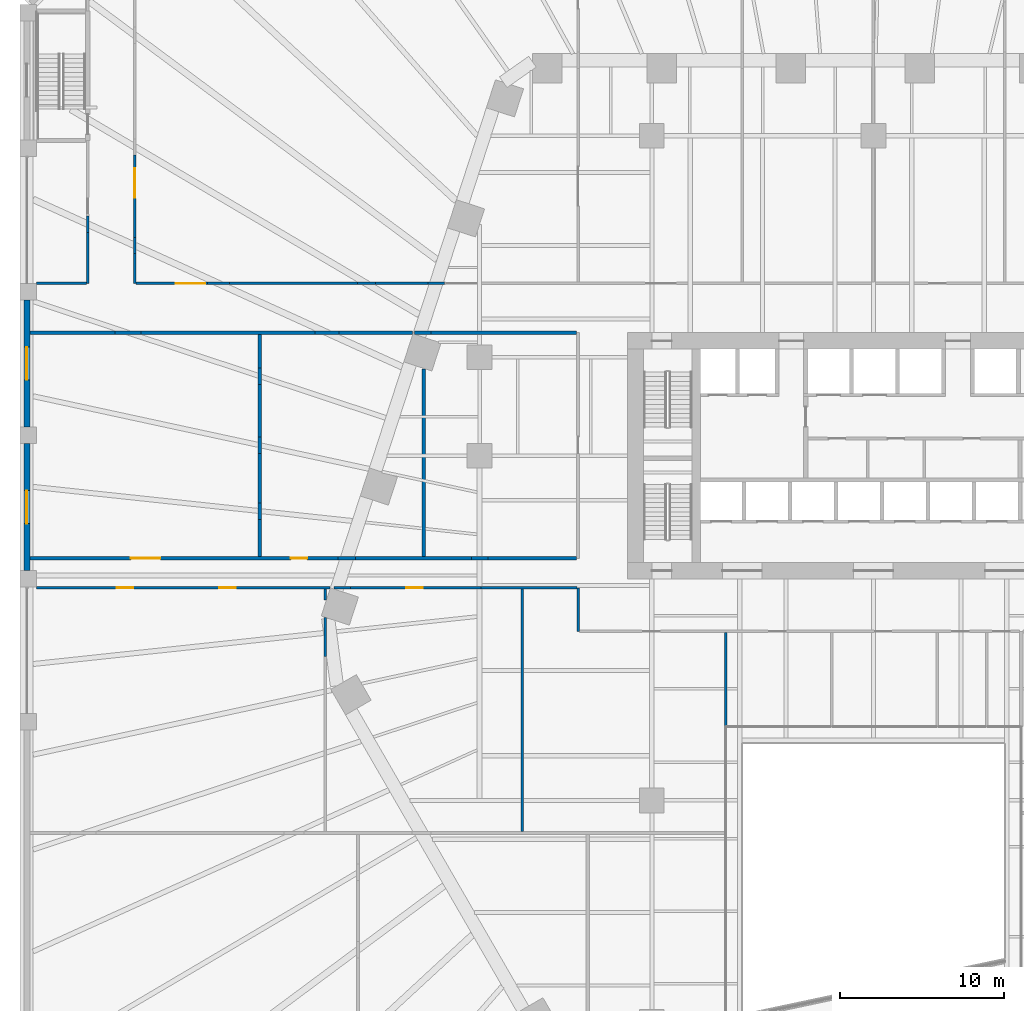
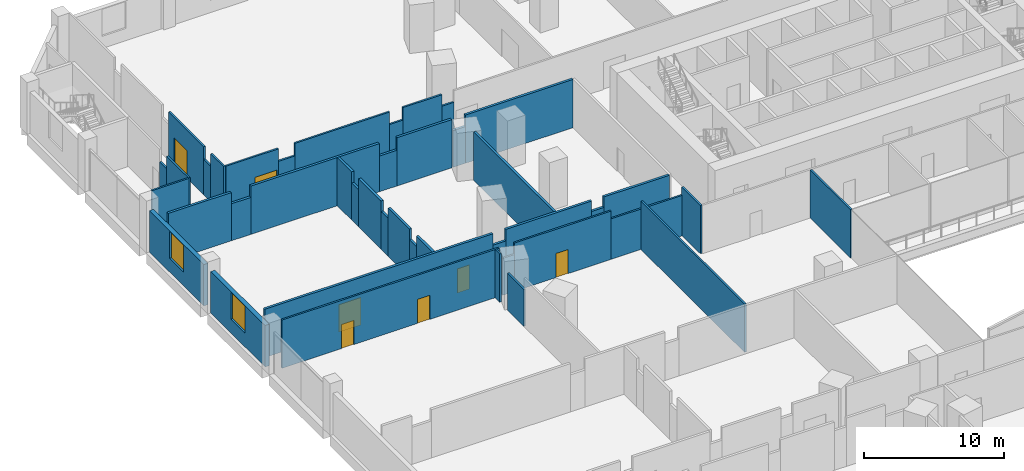
# One storey, part 16 of 29: 43 walls, 7 doors, 2 windows, 9 openings.
"""IFC4 building model written with IfcOpenShell, lengths in metres."""

from ifc_helpers import new_model, si_unit, direction, frame, frame_2d, origin, place, context, subcontext, project, spatial, rectangle, extrude, material, layer, layer_set, type_object, element, fill, save


model = new_model("IFC4")

# Units and contexts
model_context = context("Model", 3, precision=1e-05, world=origin(), true_north=direction((0.0, 1.0)))
body_context = subcontext(model_context, "Body", "Model", "MODEL_VIEW")
ifc_project = project(units=[si_unit("LENGTHUNIT", "METRE"), si_unit("AREAUNIT", "SQUARE_METRE"), si_unit("VOLUMEUNIT", "CUBIC_METRE"), si_unit("PLANEANGLEUNIT", "RADIAN"), si_unit("MASSUNIT", "GRAM", prefix="KILO")], contexts=[model_context])

# Site, building, storey
site_placement = place(None, origin())
site = spatial("IfcSite", under=ifc_project, at=site_placement, CompositionType="ELEMENT")
building_placement = place(site_placement, origin())
building = spatial("IfcBuilding", under=site, at=building_placement, Name="Isthmus Gate Tower", CompositionType="ELEMENT")
storey_placement = place(building_placement, frame((0.0, 0.0, 27.0)))
storey = spatial("IfcBuildingStorey", under=building, at=storey_placement, Name="L04", CompositionType="ELEMENT", Elevation=27.0)

# Wall, openings, doors
ifc_material_1 = material(Name="Concrete f'c 30 MPa", Category="concrete")
ifc_layer_1 = layer(ifc_material_1, 0.199951171875)
ifc_layer_set_1 = layer_set([ifc_layer_1], Name="Fire-rated block wall 200")
wall_type_1 = type_object("IfcWallType", Name="Fire-rated block wall 200", PredefinedType="PARTITIONING", material=ifc_layer_set_1)
wall_1_placement = place(storey_placement, frame((-51.39990234375, 1.2509765625, 0.0), z_axis=(0.0, 0.0, 1.0), x_axis=(1.0, 0.0, 0.0)))
wall_1 = element("IfcWall", 1, at=wall_1_placement, inside=storey, type_object=wall_type_1, Name="Fire-rated wall", PredefinedType="PARTITIONING", context=body_context, shape_type="SweptSolid", body=[
    extrude(rectangle(XDim=18.789794921875, YDim=0.199951171875, at=frame_2d((9.39501953125, 0.0))), origin(), (0.0, 0.0, 1.0), 4.199951171875),
])
opening_1_placement = place(wall_1_placement, frame((6.14990234375, 0.0, 0.0)))
opening_1 = element("IfcOpeningElement", 2, at=opening_1_placement, cuts=wall_1, Name="Opening DP04-37", PredefinedType="OPENING", context=body_context, shape_type="SweptSolid", body=[
    extrude(rectangle(XDim=1.800048828125, YDim=2.39990234375, at=frame_2d((0.89990234375, 1.199951171875))), frame((0.0, 0.10986328125, 0.0), z_axis=(0.0, -1.0, 0.0), x_axis=(1.0, 0.0, 0.0)), (0.0, 0.0, 1.0), 0.219970703125),
])
opening_2_placement = place(wall_1_placement, frame((15.89990234375, 0.0, 0.0)))
opening_2 = element("IfcOpeningElement", 3, at=opening_2_placement, cuts=wall_1, Name="Opening DP04-38", PredefinedType="OPENING", context=body_context, shape_type="SweptSolid", body=[
    extrude(rectangle(XDim=1.0, YDim=2.10009765625, at=frame_2d((0.5, 1.050048828125))), frame((0.0, 0.10986328125, 0.0), z_axis=(0.0, -1.0, 0.0), x_axis=(1.0, 0.0, 0.0)), (0.0, 0.0, 1.0), 0.219970703125),
])
ifc_material_2 = material(Name="Steel fire doors with intumescent seals", Category="steel")
door_type_1 = type_object("IfcDoorType", Name="Double fire door 1800 x 2400", OperationType="DOUBLE_DOOR_SINGLE_SWING", PredefinedType="DOOR", material=ifc_material_2)
door_1_placement = place(opening_1_placement, origin())
door_1 = element("IfcDoor", 4, at=door_1_placement, inside=storey, type_object=door_type_1, Name="Door DP04-37", OperationType="SINGLE_SWING_LEFT", OverallHeight=2.39990234375, OverallWidth=1.800048828125, PredefinedType="DOOR", context=body_context, shape_type="SweptSolid", body=[
    extrude(rectangle(XDim=1.800048828125, YDim=2.39990234375, at=frame_2d((0.89990234375, 1.199951171875))), frame((0.0, 0.02490234375, 0.0), z_axis=(0.0, -1.0, 0.0), x_axis=(1.0, 0.0, 0.0)), (0.0, 0.0, 1.0), 0.050048828125),
])
fill(opening_1, door_1)
ifc_material_3 = material(Name="Steel fire door with intumescent seals", Category="steel")
door_type_2 = type_object("IfcDoorType", Name="Fire door 1000 x 2100", OperationType="SINGLE_SWING_LEFT", PredefinedType="DOOR", material=ifc_material_3)
door_2_placement = place(opening_2_placement, origin())
door_2 = element("IfcDoor", 5, at=door_2_placement, inside=storey, type_object=door_type_2, Name="Door DP04-38", OperationType="SINGLE_SWING_LEFT", OverallHeight=2.10009765625, OverallWidth=1.0, PredefinedType="DOOR", context=body_context, shape_type="SweptSolid", body=[
    extrude(rectangle(XDim=1.0, YDim=2.10009765625, at=frame_2d((0.5, 1.050048828125))), frame((0.0, 0.02490234375, 0.0), z_axis=(0.0, -1.0, 0.0), x_axis=(1.0, 0.0, 0.0)), (0.0, 0.0, 1.0), 0.050048828125),
])
fill(opening_2, door_2)

# Walls
wall_2_placement = place(storey_placement, frame((-32.610107421875, 1.2509765625, 0.0), z_axis=(0.0, 0.0, 1.0), x_axis=(1.0, 0.0, 0.0)))
element("IfcWall", 6, at=wall_2_placement, inside=storey, type_object=wall_type_1, Name="Fire-rated wall", PredefinedType="PARTITIONING", context=body_context, shape_type="SweptSolid", body=[
    extrude(rectangle(XDim=1.051513671875, YDim=0.199951171875, at=frame_2d((0.52587890625, 0.0))), origin(), (0.0, 0.0, 1.0), 3.199951171875),
])
wall_3_placement = place(storey_placement, frame((-31.55859375, 1.2509765625, 0.0), z_axis=(0.0, 0.0, 1.0), x_axis=(1.0, 0.0, 0.0)))
element("IfcWall", 7, at=wall_3_placement, inside=storey, type_object=wall_type_1, Name="Fire-rated wall", PredefinedType="PARTITIONING", context=body_context, shape_type="SweptSolid", body=[
    extrude(rectangle(XDim=7.05859375, YDim=0.199951171875, at=frame_2d((3.529296875, 0.0))), origin(), (0.0, 0.0, 1.0), 4.199951171875),
])
wall_4_placement = place(storey_placement, frame((-24.5, 1.2509765625, 0.0), z_axis=(0.0, 0.0, 1.0), x_axis=(1.0, 0.0, 0.0)))
element("IfcWall", 8, at=wall_4_placement, inside=storey, type_object=wall_type_1, Name="Fire-rated wall", PredefinedType="PARTITIONING", context=body_context, shape_type="SweptSolid", body=[
    extrude(rectangle(XDim=1.0, YDim=0.199951171875, at=frame_2d((0.5, 0.0))), origin(), (0.0, 0.0, 1.0), 3.28564453125),
])
wall_5_placement = place(storey_placement, frame((-23.5, 1.2509765625, 0.0), z_axis=(0.0, 0.0, 1.0), x_axis=(1.0, 0.0, 0.0)))
element("IfcWall", 9, at=wall_5_placement, inside=storey, type_object=wall_type_1, Name="Fire-rated wall", PredefinedType="PARTITIONING", context=body_context, shape_type="SweptSolid", body=[
    extrude(rectangle(XDim=5.39990234375, YDim=0.199951171875, at=frame_2d((2.699951171875, 0.0))), origin(), (0.0, 0.0, 1.0), 4.199951171875),
])
wall_6_placement = place(storey_placement, frame((-51.39990234375, 15.0, 0.0), z_axis=(0.0, 0.0, 1.0), x_axis=(1.0, 0.0, 0.0)))
element("IfcWall", 10, at=wall_6_placement, inside=storey, type_object=wall_type_1, Name="Fire-rated wall", PredefinedType="PARTITIONING", context=body_context, shape_type="SweptSolid", body=[
    extrude(rectangle(XDim=5.19775390625, YDim=0.199951171875, at=frame_2d((2.598876953125, 0.0))), origin(), (0.0, 0.0, 1.0), 4.199951171875),
])
wall_7_placement = place(storey_placement, frame((-46.2021484375, 15.0, 0.0), z_axis=(0.0, 0.0, 1.0), x_axis=(1.0, 0.0, 0.0)))
element("IfcWall", 11, at=wall_7_placement, inside=storey, type_object=wall_type_1, Name="Fire-rated wall", PredefinedType="PARTITIONING", context=body_context, shape_type="SweptSolid", body=[
    extrude(rectangle(XDim=1.5869140625, YDim=0.199951171875, at=frame_2d((0.79345703125, 0.0))), origin(), (0.0, 0.0, 1.0), 3.218994140625),
])
wall_8_placement = place(storey_placement, frame((-44.615234375, 15.0, 0.0), z_axis=(0.0, 0.0, 1.0), x_axis=(1.0, 0.0, 0.0)))
element("IfcWall", 12, at=wall_8_placement, inside=storey, type_object=wall_type_1, Name="Fire-rated wall", PredefinedType="PARTITIONING", context=body_context, shape_type="SweptSolid", body=[
    extrude(rectangle(XDim=10.59375, YDim=0.199951171875, at=frame_2d((5.296875, 0.0))), origin(), (0.0, 0.0, 1.0), 4.199951171875),
])
wall_9_placement = place(storey_placement, frame((-34.021484375, 15.0, 0.0), z_axis=(0.0, 0.0, 1.0), x_axis=(1.0, 0.0, 0.0)))
element("IfcWall", 13, at=wall_9_placement, inside=storey, type_object=wall_type_1, Name="Fire-rated wall", PredefinedType="PARTITIONING", context=body_context, shape_type="SweptSolid", body=[
    extrude(rectangle(XDim=1.4521484375, YDim=0.199951171875, at=frame_2d((0.72607421875, 0.0))), origin(), (0.0, 0.0, 1.0), 3.111083984375),
])
wall_10_placement = place(storey_placement, frame((-32.5693359375, 15.0, 0.0), z_axis=(0.0, 0.0, 1.0), x_axis=(1.0, 0.0, 0.0)))
element("IfcWall", 14, at=wall_10_placement, inside=storey, type_object=wall_type_1, Name="Fire-rated wall", PredefinedType="PARTITIONING", context=body_context, shape_type="SweptSolid", body=[
    extrude(rectangle(XDim=4.4990234375, YDim=0.199951171875, at=frame_2d((2.24951171875, 0.0))), origin(), (0.0, 0.0, 1.0), 4.199951171875),
])
wall_11_placement = place(storey_placement, frame((-27.9580078125, 15.0, 0.0), z_axis=(0.0, 0.0, 1.0), x_axis=(1.0, 0.0, 0.0)))
element("IfcWall", 15, at=wall_11_placement, inside=storey, type_object=wall_type_1, Name="Fire-rated wall", PredefinedType="PARTITIONING", context=body_context, shape_type="SweptSolid", body=[
    extrude(rectangle(XDim=1.0, YDim=0.199951171875, at=frame_2d((0.5, 0.0))), origin(), (0.0, 0.0, 1.0), 3.199951171875),
])
wall_12_placement = place(storey_placement, frame((-26.9580078125, 15.0, 0.0), z_axis=(0.0, 0.0, 1.0), x_axis=(1.0, 0.0, 0.0)))
element("IfcWall", 16, at=wall_12_placement, inside=storey, type_object=wall_type_1, Name="Fire-rated wall", PredefinedType="PARTITIONING", context=body_context, shape_type="SweptSolid", body=[
    extrude(rectangle(XDim=8.85791015625, YDim=0.199951171875, at=frame_2d((4.428955078125, 0.0))), origin(), (0.0, 0.0, 1.0), 4.199951171875),
])
wall_13_placement = place(storey_placement, frame((-37.39990234375, 1.35107421875, 0.0), z_axis=(0.0, 0.0, 1.0), x_axis=(0.0, 1.0, 0.0)))
element("IfcWall", 17, at=wall_13_placement, inside=storey, type_object=wall_type_1, Name="Fire-rated wall", PredefinedType="PARTITIONING", context=body_context, shape_type="SweptSolid", body=[
    extrude(rectangle(XDim=2.2822265625, YDim=0.199951171875, at=frame_2d((1.14111328125, 0.0))), origin(), (0.0, 0.0, 1.0), 4.199951171875),
])
wall_14_placement = place(storey_placement, frame((-37.39990234375, 3.63330078125, 0.0), z_axis=(0.0, 0.0, 1.0), x_axis=(0.0, 1.0, 0.0)))
element("IfcWall", 18, at=wall_14_placement, inside=storey, type_object=wall_type_1, Name="Fire-rated wall", PredefinedType="PARTITIONING", context=body_context, shape_type="SweptSolid", body=[
    extrude(rectangle(XDim=1.0, YDim=0.199951171875, at=frame_2d((0.5, 0.0))), origin(), (0.0, 0.0, 1.0), 3.28564453125),
])
wall_15_placement = place(storey_placement, frame((-37.39990234375, 4.63330078125, 0.0), z_axis=(0.0, 0.0, 1.0), x_axis=(0.0, 1.0, 0.0)))
element("IfcWall", 19, at=wall_15_placement, inside=storey, type_object=wall_type_1, Name="Fire-rated wall", PredefinedType="PARTITIONING", context=body_context, shape_type="SweptSolid", body=[
    extrude(rectangle(XDim=3.013671875, YDim=0.199951171875, at=frame_2d((1.5068359375, 0.0))), origin(), (0.0, 0.0, 1.0), 4.199951171875),
])
wall_16_placement = place(storey_placement, frame((-37.39990234375, 7.64697265625, 0.0), z_axis=(0.0, 0.0, 1.0), x_axis=(0.0, 1.0, 0.0)))
element("IfcWall", 20, at=wall_16_placement, inside=storey, type_object=wall_type_1, Name="Fire-rated wall", PredefinedType="PARTITIONING", context=body_context, shape_type="SweptSolid", body=[
    extrude(rectangle(XDim=1.0, YDim=0.199951171875, at=frame_2d((0.5, 0.0))), origin(), (0.0, 0.0, 1.0), 3.28564453125),
])
wall_17_placement = place(storey_placement, frame((-37.39990234375, 8.64697265625, 0.0), z_axis=(0.0, 0.0, 1.0), x_axis=(0.0, 1.0, 0.0)))
element("IfcWall", 21, at=wall_17_placement, inside=storey, type_object=wall_type_1, Name="Fire-rated wall", PredefinedType="PARTITIONING", context=body_context, shape_type="SweptSolid", body=[
    extrude(rectangle(XDim=3.20361328125, YDim=0.199951171875, at=frame_2d((1.601806640625, 0.0))), origin(), (0.0, 0.0, 1.0), 4.199951171875),
])
wall_18_placement = place(storey_placement, frame((-37.39990234375, 11.8505859375, 0.0), z_axis=(0.0, 0.0, 1.0), x_axis=(0.0, 1.0, 0.0)))
element("IfcWall", 22, at=wall_18_placement, inside=storey, type_object=wall_type_1, Name="Fire-rated wall", PredefinedType="PARTITIONING", context=body_context, shape_type="SweptSolid", body=[
    extrude(rectangle(XDim=1.0, YDim=0.199951171875, at=frame_2d((0.5, 0.0))), origin(), (0.0, 0.0, 1.0), 3.218994140625),
])
wall_19_placement = place(storey_placement, frame((-37.39990234375, 12.8505859375, 0.0), z_axis=(0.0, 0.0, 1.0), x_axis=(0.0, 1.0, 0.0)))
element("IfcWall", 23, at=wall_19_placement, inside=storey, type_object=wall_type_1, Name="Fire-rated wall", PredefinedType="PARTITIONING", context=body_context, shape_type="SweptSolid", body=[
    extrude(rectangle(XDim=2.04931640625, YDim=0.199951171875, at=frame_2d((1.024658203125, 0.0))), origin(), (0.0, 0.0, 1.0), 4.199951171875),
])
wall_20_placement = place(storey_placement, frame((-27.39990234375, 1.35107421875, 0.0), z_axis=(0.0, 0.0, 1.0), x_axis=(0.0, 1.0, 0.0)))
element("IfcWall", 24, at=wall_20_placement, inside=storey, type_object=wall_type_1, Name="Fire-rated wall", PredefinedType="PARTITIONING", context=body_context, shape_type="SweptSolid", body=[
    extrude(rectangle(XDim=11.442626953125, YDim=0.199951171875, at=frame_2d((5.72119140625, 0.0))), origin(), (0.0, 0.0, 1.0), 4.199951171875),
])
ifc_material_4 = material(Name="Fire-rated gypsum board on steel studs", Category="steel")
ifc_layer_2 = layer(ifc_material_4, 0.14990234375)
ifc_layer_set_2 = layer_set([ifc_layer_2], Name="Fire-rated partition 150 EI 60")
wall_type_2 = type_object("IfcWallType", Name="Fire-rated partition 150 EI 60", PredefinedType="PARTITIONING", material=ifc_layer_set_2)
wall_21_placement = place(storey_placement, frame((-47.875, 18.0, 0.0), z_axis=(0.0, 0.0, 1.0), x_axis=(0.0, 1.0, 0.0)))
element("IfcWall", 25, at=wall_21_placement, inside=storey, type_object=wall_type_2, Name="Fire-rated partition", PredefinedType="PARTITIONING", context=body_context, shape_type="SweptSolid", body=[
    extrude(rectangle(XDim=3.11572265625, YDim=0.14990234375, at=frame_2d((1.557861328125, 0.0))), origin(), (0.0, 0.0, 1.0), 4.199951171875),
])
wall_22_placement = place(storey_placement, frame((-47.875, 21.11572265625, 0.0), z_axis=(0.0, 0.0, 1.0), x_axis=(0.0, 1.0, 0.0)))
element("IfcWall", 26, at=wall_22_placement, inside=storey, type_object=wall_type_2, Name="Fire-rated partition", PredefinedType="PARTITIONING", context=body_context, shape_type="SweptSolid", body=[
    extrude(rectangle(XDim=1.0, YDim=0.14990234375, at=frame_2d((0.5, 0.0))), origin(), (0.0, 0.0, 1.0), 3.111083984375),
])
wall_23_placement = place(storey_placement, frame((-45.0, 18.0, 0.0), z_axis=(0.0, 0.0, 1.0), x_axis=(0.0, 1.0, 0.0)))
element("IfcWall", 27, at=wall_23_placement, inside=storey, type_object=wall_type_2, Name="Fire-rated partition", PredefinedType="PARTITIONING", context=body_context, shape_type="SweptSolid", body=[
    extrude(rectangle(XDim=1.81103515625, YDim=0.14990234375, at=frame_2d((0.905517578125, 0.0))), origin(), (0.0, 0.0, 1.0), 4.199951171875),
])
wall_24_placement = place(storey_placement, frame((-45.0, 19.81103515625, 0.0), z_axis=(0.0, 0.0, 1.0), x_axis=(0.0, 1.0, 0.0)))
element("IfcWall", 28, at=wall_24_placement, inside=storey, type_object=wall_type_2, Name="Fire-rated partition", PredefinedType="PARTITIONING", context=body_context, shape_type="SweptSolid", body=[
    extrude(rectangle(XDim=1.0, YDim=0.14990234375, at=frame_2d((0.5, 0.0))), origin(), (0.0, 0.0, 1.0), 3.111083984375),
])

# Wall, opening, door
wall_25_placement = place(storey_placement, frame((-45.0, 20.81103515625, 0.0), z_axis=(0.0, 0.0, 1.0), x_axis=(0.0, 1.0, 0.0)))
wall_25 = element("IfcWall", 29, at=wall_25_placement, inside=storey, type_object=wall_type_2, Name="Fire-rated partition", PredefinedType="PARTITIONING", context=body_context, shape_type="SweptSolid", body=[
    extrude(rectangle(XDim=5.001708984375, YDim=0.14990234375, at=frame_2d((2.5009765625, 0.0))), origin(), (0.0, 0.0, 1.0), 4.199951171875),
])
opening_3_placement = place(wall_25_placement, frame((2.39990234375, 0.0, 0.0)))
opening_3 = element("IfcOpeningElement", 30, at=opening_3_placement, cuts=wall_25, Name="Opening DP04-11", PredefinedType="OPENING", context=body_context, shape_type="SweptSolid", body=[
    extrude(rectangle(XDim=1.800048828125, YDim=2.39990234375, at=frame_2d((0.89990234375, 1.199951171875))), frame((0.0, 0.0849609375, 0.0), z_axis=(0.0, -1.0, 0.0), x_axis=(1.0, 0.0, 0.0)), (0.0, 0.0, 1.0), 0.169921875),
])
door_3_placement = place(opening_3_placement, origin())
door_3 = element("IfcDoor", 31, at=door_3_placement, inside=storey, type_object=door_type_1, Name="Door DP04-11", OperationType="SINGLE_SWING_LEFT", OverallHeight=2.39990234375, OverallWidth=1.800048828125, PredefinedType="DOOR", context=body_context, shape_type="SweptSolid", body=[
    extrude(rectangle(XDim=1.800048828125, YDim=2.39990234375, at=frame_2d((0.89990234375, 1.199951171875))), frame((0.0, 0.02490234375, 0.0), z_axis=(0.0, -1.0, 0.0), x_axis=(1.0, 0.0, 0.0)), (0.0, 0.0, 1.0), 0.050048828125),
])
fill(opening_3, door_3)

# Wall, opening, window
ifc_material_5 = material(Name="Precast concrete C40/50, limestone-faced", Category="masonry")
ifc_layer_3 = layer(ifc_material_5, 0.35009765625)
ifc_layer_set_3 = layer_set([ifc_layer_3], Name="PODIUM CLADDING WALL 350")
wall_type_3 = type_object("IfcWallType", Name="PODIUM CLADDING WALL 350", PredefinedType="SOLIDWALL", material=ifc_layer_set_3)
wall_26_placement = place(storey_placement, frame((-51.574951171875, 17.0, -0.300048828125), z_axis=(0.0, 0.0, 1.0), x_axis=(0.0, -1.0, 0.0)))
wall_26 = element("IfcWall", 32, at=wall_26_placement, inside=storey, type_object=wall_type_3, Name="PODIUM WALL", PredefinedType="SOLIDWALL", context=body_context, shape_type="SweptSolid", body=[
    extrude(rectangle(XDim=7.75, YDim=0.35009765625, at=frame_2d((3.875, 0.0))), origin(), (0.0, 0.0, 1.0), 3.60009765625),
])
opening_4_placement = place(wall_26_placement, frame((2.875, 0.0, 1.199951171875)))
opening_4 = element("IfcOpeningElement", 33, at=opening_4_placement, cuts=wall_26, Name="Opening W088", PredefinedType="OPENING", context=body_context, shape_type="SweptSolid", body=[
    extrude(rectangle(XDim=2.0, YDim=2.35009765625, at=frame_2d((1.0, 1.175048828125))), frame((0.0, 0.18505859375, 0.0), z_axis=(0.0, -1.0, 0.0), x_axis=(1.0, 0.0, 0.0)), (0.0, 0.0, 1.0), 0.3701171875),
])
ifc_material_6 = material(Name="Aluminium, pale champagne anodised, laminated glass", Category="aluminium")
window_type = type_object("IfcWindowType", Name="PODIUM SLOT WINDOW 2000 X 2350", PartitioningType="SINGLE_PANEL", PredefinedType="WINDOW", material=ifc_material_6)
window_1_placement = place(opening_4_placement, origin())
window_1 = element("IfcWindow", 34, at=window_1_placement, inside=storey, type_object=window_type, Name="SLOT WINDOW", OverallHeight=2.35009765625, OverallWidth=2.0, PartitioningType="SINGLE_PANEL", PredefinedType="WINDOW", context=body_context, shape_type="SweptSolid", body=[
    extrude(rectangle(XDim=2.0, YDim=2.35009765625, at=frame_2d((1.0, 1.175048828125))), frame((0.0, 0.030029296875, 0.0), z_axis=(0.0, -1.0, 0.0), x_axis=(1.0, 0.0, 0.0)), (0.0, 0.0, 1.0), 0.06005859375),
])
fill(opening_4, window_1)

wall_27_placement = place(storey_placement, frame((-51.574951171875, 8.25, -0.300048828125), z_axis=(0.0, 0.0, 1.0), x_axis=(0.0, -1.0, 0.0)))
wall_27 = element("IfcWall", 35, at=wall_27_placement, inside=storey, type_object=wall_type_3, Name="PODIUM WALL", PredefinedType="SOLIDWALL", context=body_context, shape_type="SweptSolid", body=[
    extrude(rectangle(XDim=7.75, YDim=0.35009765625, at=frame_2d((3.875, 0.0))), origin(), (0.0, 0.0, 1.0), 3.60009765625),
])
opening_5_placement = place(wall_27_placement, frame((2.875, 0.0, 1.199951171875)))
opening_5 = element("IfcOpeningElement", 36, at=opening_5_placement, cuts=wall_27, Name="Opening W089", PredefinedType="OPENING", context=body_context, shape_type="SweptSolid", body=[
    extrude(rectangle(XDim=2.0, YDim=2.35009765625, at=frame_2d((1.0, 1.175048828125))), frame((0.0, 0.18505859375, 0.0), z_axis=(0.0, -1.0, 0.0), x_axis=(1.0, 0.0, 0.0)), (0.0, 0.0, 1.0), 0.3701171875),
])
window_2_placement = place(opening_5_placement, origin())
window_2 = element("IfcWindow", 37, at=window_2_placement, inside=storey, type_object=window_type, Name="SLOT WINDOW", OverallHeight=2.35009765625, OverallWidth=2.0, PartitioningType="SINGLE_PANEL", PredefinedType="WINDOW", context=body_context, shape_type="SweptSolid", body=[
    extrude(rectangle(XDim=2.0, YDim=2.35009765625, at=frame_2d((1.0, 1.175048828125))), frame((0.0, 0.030029296875, 0.0), z_axis=(0.0, -1.0, 0.0), x_axis=(1.0, 0.0, 0.0)), (0.0, 0.0, 1.0), 0.06005859375),
])
fill(opening_5, window_2)

# Wall, openings, doors
ifc_material_7 = material(Name="Gypsum board on cold-formed steel studs", Category="steel")
ifc_layer_4 = layer(ifc_material_7, 0.14990234375)
ifc_layer_set_4 = layer_set([ifc_layer_4])
wall_type_4 = type_object("IfcWallType", Name="Partition 150 gypsum board on steel studs", PredefinedType="PARTITIONING", material=ifc_layer_set_4)
wall_28_placement = place(storey_placement, frame((-51.0, -0.549072265625, 0.0), z_axis=(0.0, 0.0, 1.0), x_axis=(1.0, 0.0, 0.0)))
wall_28 = element("IfcWall", 38, at=wall_28_placement, inside=storey, type_object=wall_type_4, Name="Partition", PredefinedType="PARTITIONING", context=body_context, shape_type="SweptSolid", body=[
    extrude(rectangle(XDim=17.8857421875, YDim=0.14990234375, at=frame_2d((8.94287109375, 0.0))), origin(), (0.0, 0.0, 1.0), 4.199951171875),
])
opening_6_placement = place(wall_28_placement, frame((4.89990234375, 0.0, 0.0)))
opening_6 = element("IfcOpeningElement", 39, at=opening_6_placement, cuts=wall_28, Name="Opening DP04-14", PredefinedType="OPENING", context=body_context, shape_type="SweptSolid", body=[
    extrude(rectangle(XDim=1.0, YDim=2.10009765625, at=frame_2d((0.5, 1.050048828125))), frame((0.0, 0.0849609375, 0.0), z_axis=(0.0, -1.0, 0.0), x_axis=(1.0, 0.0, 0.0)), (0.0, 0.0, 1.0), 0.169921875),
])
opening_7_placement = place(wall_28_placement, frame((11.14990234375, 0.0, 0.0)))
opening_7 = element("IfcOpeningElement", 40, at=opening_7_placement, cuts=wall_28, Name="Opening DP04-15", PredefinedType="OPENING", context=body_context, shape_type="SweptSolid", body=[
    extrude(rectangle(XDim=1.0, YDim=2.10009765625, at=frame_2d((0.5, 1.050048828125))), frame((0.0, 0.0849609375, 0.0), z_axis=(0.0, -1.0, 0.0), x_axis=(1.0, 0.0, 0.0)), (0.0, 0.0, 1.0), 0.169921875),
])
ifc_material_8 = material(Name="Hollow metal frame with solid-core timber leaf", Category="wood")
door_type_3 = type_object("IfcDoorType", Name="Single swing door 1000 x 2100", OperationType="SINGLE_SWING_LEFT", PredefinedType="DOOR", material=ifc_material_8)
door_4_placement = place(opening_6_placement, origin())
door_4 = element("IfcDoor", 41, at=door_4_placement, inside=storey, type_object=door_type_3, Name="Door DP04-14", OperationType="SINGLE_SWING_LEFT", OverallHeight=2.10009765625, OverallWidth=1.0, PredefinedType="DOOR", context=body_context, shape_type="SweptSolid", body=[
    extrude(rectangle(XDim=1.0, YDim=2.10009765625, at=frame_2d((0.5, 1.050048828125))), frame((0.0, 0.02490234375, 0.0), z_axis=(0.0, -1.0, 0.0), x_axis=(1.0, 0.0, 0.0)), (0.0, 0.0, 1.0), 0.050048828125),
])
fill(opening_6, door_4)
door_5_placement = place(opening_7_placement, origin())
door_5 = element("IfcDoor", 42, at=door_5_placement, inside=storey, type_object=door_type_3, Name="Door DP04-15", OperationType="SINGLE_SWING_LEFT", OverallHeight=2.10009765625, OverallWidth=1.0, PredefinedType="DOOR", context=body_context, shape_type="SweptSolid", body=[
    extrude(rectangle(XDim=1.0, YDim=2.10009765625, at=frame_2d((0.5, 1.050048828125))), frame((0.0, 0.02490234375, 0.0), z_axis=(0.0, -1.0, 0.0), x_axis=(1.0, 0.0, 0.0)), (0.0, 0.0, 1.0), 0.050048828125),
])
fill(opening_7, door_5)

# Wall
wall_29_placement = place(storey_placement, frame((-32.85888671875, -0.549072265625, 0.0), z_axis=(0.0, 0.0, 1.0), x_axis=(1.0, 0.0, 0.0)))
element("IfcWall", 43, at=wall_29_placement, inside=storey, type_object=wall_type_4, Name="Partition", PredefinedType="PARTITIONING", context=body_context, shape_type="SweptSolid", body=[
    extrude(rectangle(XDim=1.0, YDim=0.14990234375, at=frame_2d((0.5, 0.0))), origin(), (0.0, 0.0, 1.0), 3.199951171875),
])

# Wall, opening, door
wall_30_placement = place(storey_placement, frame((-31.85888671875, -0.549072265625, 0.0), z_axis=(0.0, 0.0, 1.0), x_axis=(1.0, 0.0, 0.0)))
wall_30 = element("IfcWall", 44, at=wall_30_placement, inside=storey, type_object=wall_type_4, Name="Partition", PredefinedType="PARTITIONING", context=body_context, shape_type="SweptSolid", body=[
    extrude(rectangle(XDim=7.936279296875, YDim=0.14990234375, at=frame_2d((3.96826171875, 0.0))), origin(), (0.0, 0.0, 1.0), 4.199951171875),
])
opening_8_placement = place(wall_30_placement, frame((3.39990234375, 0.0, 0.0)))
opening_8 = element("IfcOpeningElement", 45, at=opening_8_placement, cuts=wall_30, Name="Opening DP04-16", PredefinedType="OPENING", context=body_context, shape_type="SweptSolid", body=[
    extrude(rectangle(XDim=1.0, YDim=2.10009765625, at=frame_2d((0.5, 1.050048828125))), frame((0.0, 0.0849609375, 0.0), z_axis=(0.0, -1.0, 0.0), x_axis=(1.0, 0.0, 0.0)), (0.0, 0.0, 1.0), 0.169921875),
])
door_6_placement = place(opening_8_placement, origin())
door_6 = element("IfcDoor", 46, at=door_6_placement, inside=storey, type_object=door_type_3, Name="Door DP04-16", OperationType="SINGLE_SWING_LEFT", OverallHeight=2.10009765625, OverallWidth=1.0, PredefinedType="DOOR", context=body_context, shape_type="SweptSolid", body=[
    extrude(rectangle(XDim=1.0, YDim=2.10009765625, at=frame_2d((0.5, 1.050048828125))), frame((0.0, 0.02490234375, 0.0), z_axis=(0.0, -1.0, 0.0), x_axis=(1.0, 0.0, 0.0)), (0.0, 0.0, 1.0), 0.050048828125),
])
fill(opening_8, door_6)

# Walls
wall_31_placement = place(storey_placement, frame((-23.922607421875, -0.549072265625, 0.0), z_axis=(0.0, 0.0, 1.0), x_axis=(1.0, 0.0, 0.0)))
element("IfcWall", 47, at=wall_31_placement, inside=storey, type_object=wall_type_4, Name="Partition", PredefinedType="PARTITIONING", context=body_context, shape_type="SweptSolid", body=[
    extrude(rectangle(XDim=5.84765625, YDim=0.14990234375, at=frame_2d((2.923828125, 0.0))), origin(), (0.0, 0.0, 1.0), 3.5205078125),
])
wall_32_placement = place(storey_placement, frame((-51.0, 18.0, 0.0), z_axis=(0.0, 0.0, 1.0), x_axis=(1.0, 0.0, 0.0)))
element("IfcWall", 48, at=wall_32_placement, inside=storey, type_object=wall_type_4, Name="Partition", PredefinedType="PARTITIONING", context=body_context, shape_type="SweptSolid", body=[
    extrude(rectangle(XDim=3.050048828125, YDim=0.14990234375, at=frame_2d((1.52490234375, 0.0))), origin(), (0.0, 0.0, 1.0), 4.199951171875),
])

# Wall, opening, door
wall_33_placement = place(storey_placement, frame((-44.925048828125, 18.0, 0.0), z_axis=(0.0, 0.0, 1.0), x_axis=(1.0, 0.0, 0.0)))
wall_33 = element("IfcWall", 49, at=wall_33_placement, inside=storey, type_object=wall_type_4, Name="Partition", PredefinedType="PARTITIONING", context=body_context, shape_type="SweptSolid", body=[
    extrude(rectangle(XDim=4.352783203125, YDim=0.14990234375, at=frame_2d((2.17626953125, 0.0))), origin(), (0.0, 0.0, 1.0), 4.199951171875),
])
opening_9_placement = place(wall_33_placement, frame((2.39990234375, 0.0, 0.0)))
opening_9 = element("IfcOpeningElement", 50, at=opening_9_placement, cuts=wall_33, Name="Opening DP04-09", PredefinedType="OPENING", context=body_context, shape_type="SweptSolid", body=[
    extrude(rectangle(XDim=1.800048828125, YDim=2.39990234375, at=frame_2d((0.89990234375, 1.199951171875))), frame((0.0, 0.0849609375, 0.0), z_axis=(0.0, -1.0, 0.0), x_axis=(1.0, 0.0, 0.0)), (0.0, 0.0, 1.0), 0.169921875),
])
ifc_material_9 = material(Name="Hollow metal frame with solid-core timber leaves", Category="wood")
door_type_4 = type_object("IfcDoorType", Name="Double swing door 1800 x 2400", OperationType="DOUBLE_DOOR_SINGLE_SWING", PredefinedType="DOOR", material=ifc_material_9)
door_7_placement = place(opening_9_placement, origin())
door_7 = element("IfcDoor", 51, at=door_7_placement, inside=storey, type_object=door_type_4, Name="Door DP04-09", OperationType="SINGLE_SWING_LEFT", OverallHeight=2.39990234375, OverallWidth=1.800048828125, PredefinedType="DOOR", context=body_context, shape_type="SweptSolid", body=[
    extrude(rectangle(XDim=1.800048828125, YDim=2.39990234375, at=frame_2d((0.89990234375, 1.199951171875))), frame((0.0, 0.02490234375, 0.0), z_axis=(0.0, -1.0, 0.0), x_axis=(1.0, 0.0, 0.0)), (0.0, 0.0, 1.0), 0.050048828125),
])
fill(opening_9, door_7)

# Walls
wall_34_placement = place(storey_placement, frame((-40.572265625, 18.0, 0.0), z_axis=(0.0, 0.0, 1.0), x_axis=(1.0, 0.0, 0.0)))
element("IfcWall", 52, at=wall_34_placement, inside=storey, type_object=wall_type_4, Name="Partition", PredefinedType="PARTITIONING", context=body_context, shape_type="SweptSolid", body=[
    extrude(rectangle(XDim=1.3310546875, YDim=0.14990234375, at=frame_2d((0.66552734375, 0.0))), origin(), (0.0, 0.0, 1.0), 3.111083984375),
])
wall_35_placement = place(storey_placement, frame((-39.2412109375, 18.0, 0.0), z_axis=(0.0, 0.0, 1.0), x_axis=(1.0, 0.0, 0.0)))
element("IfcWall", 53, at=wall_35_placement, inside=storey, type_object=wall_type_4, Name="Partition", PredefinedType="PARTITIONING", context=body_context, shape_type="SweptSolid", body=[
    extrude(rectangle(XDim=7.806884765625, YDim=0.14990234375, at=frame_2d((3.9033203125, 0.0))), origin(), (0.0, 0.0, 1.0), 4.199951171875),
])
wall_36_placement = place(storey_placement, frame((-31.434326171875, 18.0, 0.0), z_axis=(0.0, 0.0, 1.0), x_axis=(1.0, 0.0, 0.0)))
element("IfcWall", 54, at=wall_36_placement, inside=storey, type_object=wall_type_4, Name="Partition", PredefinedType="PARTITIONING", context=body_context, shape_type="SweptSolid", body=[
    extrude(rectangle(XDim=1.083251953125, YDim=0.14990234375, at=frame_2d((0.54150390625, 0.0))), origin(), (0.0, 0.0, 1.0), 3.111083984375),
])
wall_37_placement = place(storey_placement, frame((-30.35107421875, 18.0, 0.0), z_axis=(0.0, 0.0, 1.0), x_axis=(1.0, 0.0, 0.0)))
element("IfcWall", 55, at=wall_37_placement, inside=storey, type_object=wall_type_4, Name="Partition", PredefinedType="PARTITIONING", context=body_context, shape_type="SweptSolid", body=[
    extrude(rectangle(XDim=3.208740234375, YDim=0.14990234375, at=frame_2d((1.6044921875, 0.0))), origin(), (0.0, 0.0, 1.0), 4.199951171875),
])
wall_38_placement = place(storey_placement, frame((-27.142333984375, 18.0, 0.0), z_axis=(0.0, 0.0, 1.0), x_axis=(1.0, 0.0, 0.0)))
element("IfcWall", 56, at=wall_38_placement, inside=storey, type_object=wall_type_4, Name="Partition", PredefinedType="PARTITIONING", context=body_context, shape_type="SweptSolid", body=[
    extrude(rectangle(XDim=1.0, YDim=0.14990234375, at=frame_2d((0.5, 0.0))), origin(), (0.0, 0.0, 1.0), 3.199951171875),
])
wall_39_placement = place(storey_placement, frame((-33.39990234375, -4.73095703125, 0.0), z_axis=(0.0, 0.0, 1.0), x_axis=(0.0, 1.0, 0.0)))
element("IfcWall", 57, at=wall_39_placement, inside=storey, type_object=wall_type_4, Name="Partition", PredefinedType="PARTITIONING", context=body_context, shape_type="SweptSolid", body=[
    extrude(rectangle(XDim=2.36572265625, YDim=0.14990234375, at=frame_2d((1.182861328125, 0.0))), origin(), (0.0, 0.0, 1.0), 3.199951171875),
])
wall_40_placement = place(storey_placement, frame((-33.39990234375, -1.2724609375, 0.0), z_axis=(0.0, 0.0, 1.0), x_axis=(0.0, 1.0, 0.0)))
element("IfcWall", 58, at=wall_40_placement, inside=storey, type_object=wall_type_4, Name="Partition", PredefinedType="PARTITIONING", context=body_context, shape_type="SweptSolid", body=[
    extrude(rectangle(XDim=0.6484375, YDim=0.14990234375, at=frame_2d((0.32421875, 0.0))), origin(), (0.0, 0.0, 1.0), 4.199951171875),
])
wall_41_placement = place(storey_placement, frame((-21.39990234375, -15.388916015625, 0.0), z_axis=(0.0, 0.0, 1.0), x_axis=(0.0, 1.0, 0.0)))
element("IfcWall", 59, at=wall_41_placement, inside=storey, type_object=wall_type_4, Name="Partition", PredefinedType="PARTITIONING", context=body_context, shape_type="SweptSolid", body=[
    extrude(rectangle(XDim=14.764892578125, YDim=0.14990234375, at=frame_2d((7.38232421875, 0.0))), origin(), (0.0, 0.0, 1.0), 4.199951171875),
])
wall_42_placement = place(storey_placement, frame((-18.0, -3.199951171875, 0.0), z_axis=(0.0, 0.0, 1.0), x_axis=(0.0, 1.0, 0.0)))
element("IfcWall", 60, at=wall_42_placement, inside=storey, type_object=wall_type_4, Name="Partition", PredefinedType="PARTITIONING", context=body_context, shape_type="SweptSolid", body=[
    extrude(rectangle(XDim=2.651123046875, YDim=0.14990234375, at=frame_2d((1.32568359375, 0.0))), origin(), (0.0, 0.0, 1.0), 4.199951171875),
])
wall_43_placement = place(storey_placement, frame((-9.0, -9.0, 0.0), z_axis=(0.0, 0.0, 1.0), x_axis=(0.0, 1.0, 0.0)))
element("IfcWall", 61, at=wall_43_placement, inside=storey, type_object=wall_type_4, Name="Partition", PredefinedType="PARTITIONING", context=body_context, shape_type="SweptSolid", body=[
    extrude(rectangle(XDim=5.72509765625, YDim=0.14990234375, at=frame_2d((2.862548828125, 0.0))), origin(), (0.0, 0.0, 1.0), 4.199951171875),
])

save(model, "model.ifc")
